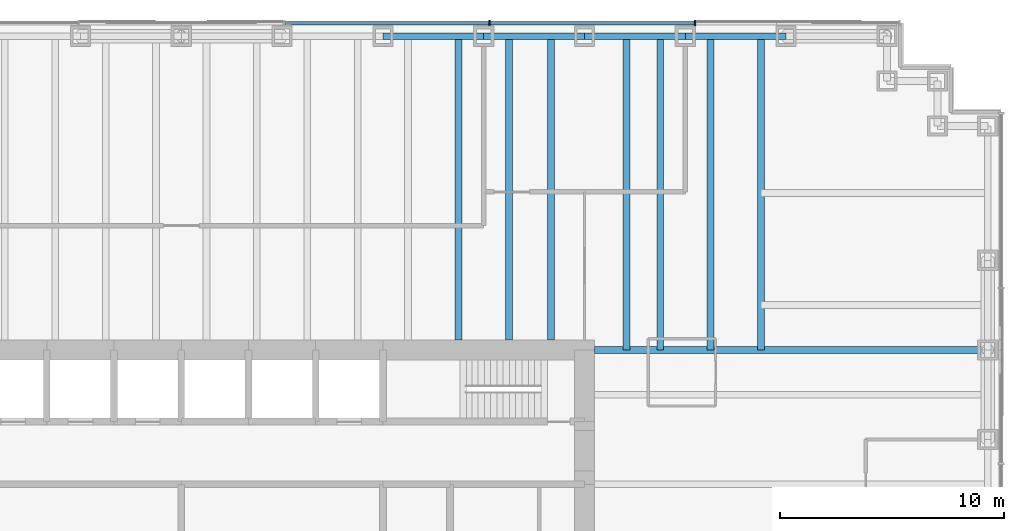
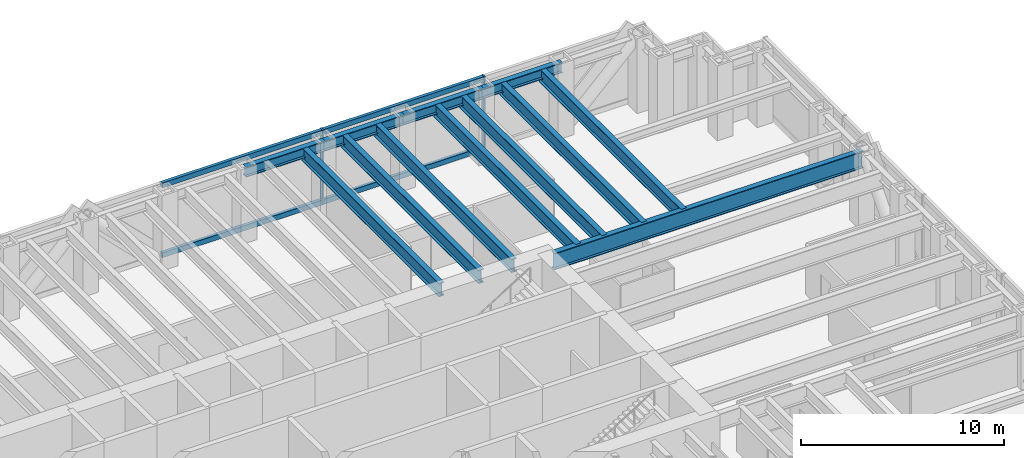
# One storey, part 6 of 13: 12 beams, 6 members, 1 element without a shape of its own.
"""IFC4 building model written with IfcOpenShell, lengths in metres."""

from ifc_helpers import new_model, si_unit, direction, frame, origin, origin_2d, place, context, subcontext, project, spatial, rectangle, i_section, extrude, material, material_profile, profile_set, type_object, element, aggregate, save


model = new_model("IFC4")

# Units and contexts
model_context = context("Model", 3, precision=1e-05, world=origin(), true_north=direction((0.0, 1.0)))
body_context = subcontext(model_context, "Body", "Model", "MODEL_VIEW")
ifc_project = project(units=[si_unit("LENGTHUNIT", "METRE"), si_unit("AREAUNIT", "SQUARE_METRE"), si_unit("VOLUMEUNIT", "CUBIC_METRE"), si_unit("PLANEANGLEUNIT", "RADIAN"), si_unit("MASSUNIT", "GRAM", prefix="KILO")], contexts=[model_context])

# Site, building, storey
site_placement = place(None, origin())
site = spatial("IfcSite", under=ifc_project, at=site_placement, CompositionType="ELEMENT")
building_placement = place(site_placement, origin())
building = spatial("IfcBuilding", under=site, at=building_placement, Name="Rheinbord Bourse Tower", CompositionType="ELEMENT")
storey_placement = place(building_placement, frame((0.0, 0.0, 27.5)))
storey = spatial("IfcBuildingStorey", under=building, at=storey_placement, Name="L05", CompositionType="ELEMENT", Elevation=27.5)

# Curtain wall, members
ifc_material_1 = material(Name="Dark glass and black aluminium", Category="aluminium")
curtain_wall_type = type_object("IfcCurtainWallType", Name="CW1 DARK GLASS CURTAIN WALL", PredefinedType="USERDEFINED", material=ifc_material_1)
curtain_wall_placement = place(storey_placement, origin())
curtain_wall = element("IfcCurtainWall", 1, at=curtain_wall_placement, inside=storey, type_object=curtain_wall_type, Name="Curtain wall CW1 N L05", ObjectType="UNITISED CURTAIN WALL", PredefinedType="USERDEFINED")
ifc_material_2 = material(Name="Black anodised aluminium", Category="aluminium")
ifc_material_profile_1 = material_profile(ifc_material_2, rectangle(XDim=0.25, YDim=0.080078125, at=origin_2d()), Name="CW1 MULLION 80x250")
ifc_profile_set_1 = profile_set([ifc_material_profile_1], Name="Black anodised aluminium")
member_type_1 = type_object("IfcMemberType", Name="CW1 BLACK MULLION", PredefinedType="MULLION", material=ifc_profile_set_1)
member_1_placement = place(storey_placement, frame((58.928466796875, 46.60009765625, 0.0), z_axis=(0.0, 0.0, 1.0), x_axis=(0.0, -1.0, 0.0)))
member_1 = element("IfcMember", 2, at=member_1_placement, type_object=member_type_1, Name="CW1 mullion 2", PredefinedType="MULLION", context=body_context, shape_type="SweptSolid", body=[
    extrude(rectangle(XDim=0.25, YDim=0.080078125, at=origin_2d()), origin(), (0.0, 0.0, 1.0), 4.5),
])
member_2_placement = place(storey_placement, frame((49.757080078125, 46.60009765625, 0.0), z_axis=(0.0, 0.0, 1.0), x_axis=(0.0, -1.0, 0.0)))
member_2 = element("IfcMember", 3, at=member_2_placement, type_object=member_type_1, Name="CW1 mullion 3", PredefinedType="MULLION", context=body_context, shape_type="SweptSolid", body=[
    extrude(rectangle(XDim=0.25, YDim=0.080078125, at=origin_2d()), origin(), (0.0, 0.0, 1.0), 4.5),
])
ifc_material_3 = material(Name="Black anodised aluminium", Category="aluminium")
ifc_material_profile_2 = material_profile(ifc_material_3, rectangle(XDim=0.179931640625, YDim=0.300048828125, at=origin_2d()), Name="CW1 TRANSOM 300x180")
ifc_profile_set_2 = profile_set([ifc_material_profile_2], Name="Black anodised aluminium")
member_type_2 = type_object("IfcMemberType", Name="CW1 BLACK TRANSOM", PredefinedType="USERDEFINED", material=ifc_profile_set_2)
member_3_placement = place(storey_placement, frame((58.888671875, 46.60009765625, 0.14990234375), z_axis=(-1.0, 0.0, 0.0), x_axis=(0.0, -1.0, 0.0)))
member_3 = element("IfcMember", 4, at=member_3_placement, type_object=member_type_2, Name="CW1 transom 2.1", ObjectType="TRANSOM", PredefinedType="USERDEFINED", context=body_context, shape_type="SweptSolid", body=[
    extrude(rectangle(XDim=0.179931640625, YDim=0.300048828125, at=origin_2d()), origin(), (0.0, 0.0, 1.0), 9.091552734375),
])
member_4_placement = place(storey_placement, frame((58.888671875, 46.60009765625, 4.35009765625), z_axis=(-1.0, 0.0, 0.0), x_axis=(0.0, -1.0, 0.0)))
member_4 = element("IfcMember", 5, at=member_4_placement, type_object=member_type_2, Name="CW1 transom 2.2", ObjectType="TRANSOM", PredefinedType="USERDEFINED", context=body_context, shape_type="SweptSolid", body=[
    extrude(rectangle(XDim=0.179931640625, YDim=0.300048828125, at=origin_2d()), origin(), (0.0, 0.0, 1.0), 9.091552734375),
])
member_5_placement = place(storey_placement, frame((49.717041015625, 46.60009765625, 0.14990234375), z_axis=(-1.0, 0.0, 0.0), x_axis=(0.0, -1.0, 0.0)))
member_5 = element("IfcMember", 6, at=member_5_placement, type_object=member_type_2, Name="CW1 transom 3.1", ObjectType="TRANSOM", PredefinedType="USERDEFINED", context=body_context, shape_type="SweptSolid", body=[
    extrude(rectangle(XDim=0.179931640625, YDim=0.300048828125, at=origin_2d()), origin(), (0.0, 0.0, 1.0), 9.09130859375),
])
member_6_placement = place(storey_placement, frame((49.717041015625, 46.60009765625, 4.35009765625), z_axis=(-1.0, 0.0, 0.0), x_axis=(0.0, -1.0, 0.0)))
member_6 = element("IfcMember", 7, at=member_6_placement, type_object=member_type_2, Name="CW1 transom 3.2", ObjectType="TRANSOM", PredefinedType="USERDEFINED", context=body_context, shape_type="SweptSolid", body=[
    extrude(rectangle(XDim=0.179931640625, YDim=0.300048828125, at=origin_2d()), origin(), (0.0, 0.0, 1.0), 9.09130859375),
])
aggregate(curtain_wall, [member_1, member_2, member_3, member_4, member_5, member_6])

# Beams
ifc_material_4 = material(Name="Steel S460", Category="steel")
ifc_material_profile_3 = material_profile(ifc_material_4, i_section(OverallWidth=0.300048828125, OverallDepth=0.800048828125, WebThickness=0.017578125, FlangeThickness=0.032958984375, at=origin_2d()), Name="HEB 800")
ifc_profile_set_3 = profile_set([ifc_material_profile_3], Name="Steel S460")
beam_type_1 = type_object("IfcBeamType", Name="FLOOR BEAM HEB 800", PredefinedType="BEAM", material=ifc_profile_set_3)
for number, where, z_axis, x_axis, name in (
    (8, (48.375, 46.0, 3.919921875), (0.0, -1.0, 0.0), (1.0, 0.0, 0.0), "Floor beam N-45b L06"),
    (9, (50.625, 46.0, 3.919921875), (0.0, -1.0, 0.0), (1.0, 0.0, 0.0), "Floor beam N-49.5a L06"),
    (10, (52.5, 46.0, 3.919921875), (0.0, -1.0, 0.0), (1.0, 0.0, 0.0), "Floor beam N-49.5b L06"),
):
    element("IfcBeam", number, at=place(storey_placement, frame(where, z_axis=z_axis, x_axis=x_axis)), inside=storey, type_object=beam_type_1, Name=name, PredefinedType="BEAM", context=body_context, shape_type="SweptSolid", body=[
        extrude(i_section(OverallWidth=0.300048828125, OverallDepth=0.800048828125, WebThickness=0.017578125, FlangeThickness=0.032958984375, at=origin_2d()), origin(), (0.0, 0.0, 1.0), 13.550048828125),
    ])
for number, where, z_axis, x_axis, name in (
    (11, (55.875, 46.0, 3.919921875), (0.0, -1.0, 0.0), (1.0, 0.0, 0.0), "Floor beam N-54a L06"),
    (12, (57.375, 46.0, 3.919921875), (0.0, -1.0, 0.0), (1.0, 0.0, 0.0), "Floor beam N-54b L06"),
    (13, (59.625, 46.0, 3.919921875), (0.0, -1.0, 0.0), (1.0, 0.0, 0.0), "Floor beam N-58.5a L06"),
    (14, (61.875, 46.0, 3.919921875), (0.0, -1.0, 0.0), (1.0, 0.0, 0.0), "Floor beam N-58.5b L06"),
):
    element("IfcBeam", number, at=place(storey_placement, frame(where, z_axis=z_axis, x_axis=x_axis)), inside=storey, type_object=beam_type_1, Name=name, PredefinedType="BEAM", context=body_context, shape_type="SweptSolid", body=[
        extrude(i_section(OverallWidth=0.300048828125, OverallDepth=0.800048828125, WebThickness=0.017578125, FlangeThickness=0.032958984375, at=origin_2d()), origin(), (0.0, 0.0, 1.0), 14.0),
    ])
ifc_material_5 = material(Name="Steel S460", Category="steel")
ifc_material_profile_4 = material_profile(ifc_material_5, i_section(OverallWidth=0.302001953125, OverallDepth=1.008056640625, WebThickness=0.02099609375, FlangeThickness=0.0400390625, at=origin_2d()), Name="HEM 1000")
ifc_profile_set_4 = profile_set([ifc_material_profile_4], Name="Steel S460")
beam_type_2 = type_object("IfcBeamType", Name="GIRDER HEM 1000", PredefinedType="BEAM", material=ifc_profile_set_4)
beam_placement = place(storey_placement, frame((54.449951171875, 32.0, 3.81591796875), z_axis=(1.0, 0.0, 0.0), x_axis=(0.0, 1.0, 0.0)))
element("IfcBeam", 15, at=beam_placement, inside=storey, type_object=beam_type_2, Name="Girder east 32 L06", PredefinedType="BEAM", context=body_context, shape_type="SweptSolid", body=[
    extrude(i_section(OverallWidth=0.302001953125, OverallDepth=1.008056640625, WebThickness=0.02099609375, FlangeThickness=0.0400390625, at=origin_2d()), origin(), (0.0, 0.0, 1.0), 17.550048828125),
])
ifc_material_6 = material(Name="Steel S460", Category="steel")
ifc_material_profile_5 = material_profile(ifc_material_6, i_section(OverallWidth=0.304931640625, OverallDepth=0.6201171875, WebThickness=0.02099609375, FlangeThickness=0.0400390625, at=origin_2d()), Name="HEM 600")
ifc_profile_set_5 = profile_set([ifc_material_profile_5], Name="Steel S460")
beam_type_3 = type_object("IfcBeamType", Name="SPANDREL HEM 600", PredefinedType="SPANDREL", material=ifc_profile_set_5)
for number, where, z_axis, x_axis, name in (
    (16, (63.0, 46.0, 4.010009765625), (-1.0, 0.0, 0.0), (0.0, -1.0, 0.0), "Spandrel N-63-N-58.5 under L06"),
    (17, (58.5, 46.0, 4.010009765625), (-1.0, 0.0, 0.0), (0.0, -1.0, 0.0), "Spandrel N-58.5-N-54 under L06"),
    (18, (54.0, 46.0, 4.010009765625), (-1.0, 0.0, 0.0), (0.0, -1.0, 0.0), "Spandrel N-54-N-49.5 under L06"),
    (19, (49.5, 46.0, 4.010009765625), (-1.0, 0.0, 0.0), (0.0, -1.0, 0.0), "Spandrel N-49.5-N-45 under L06"),
):
    element("IfcBeam", number, at=place(storey_placement, frame(where, z_axis=z_axis, x_axis=x_axis)), inside=storey, type_object=beam_type_3, Name=name, PredefinedType="SPANDREL", context=body_context, shape_type="SweptSolid", body=[
        extrude(i_section(OverallWidth=0.304931640625, OverallDepth=0.6201171875, WebThickness=0.02099609375, FlangeThickness=0.0400390625, at=origin_2d()), origin(), (0.0, 0.0, 1.0), 4.5),
    ])

save(model, "model.ifc")
